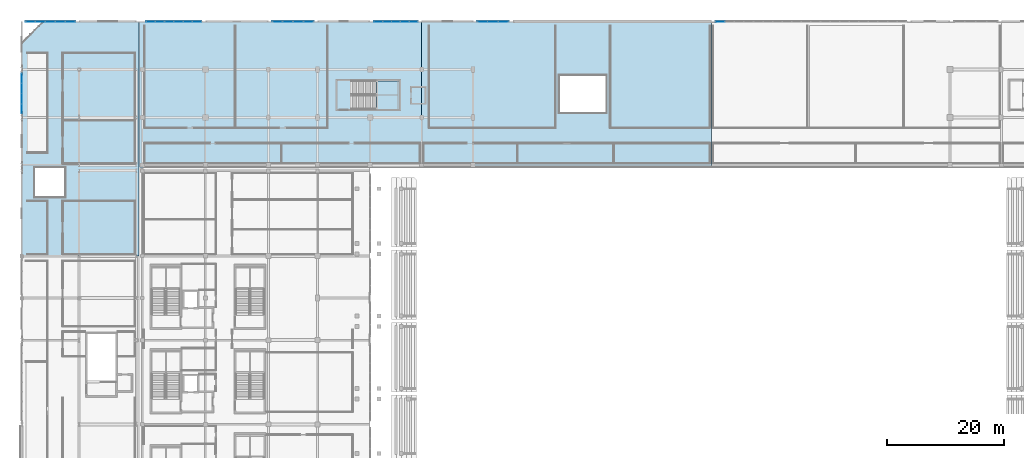
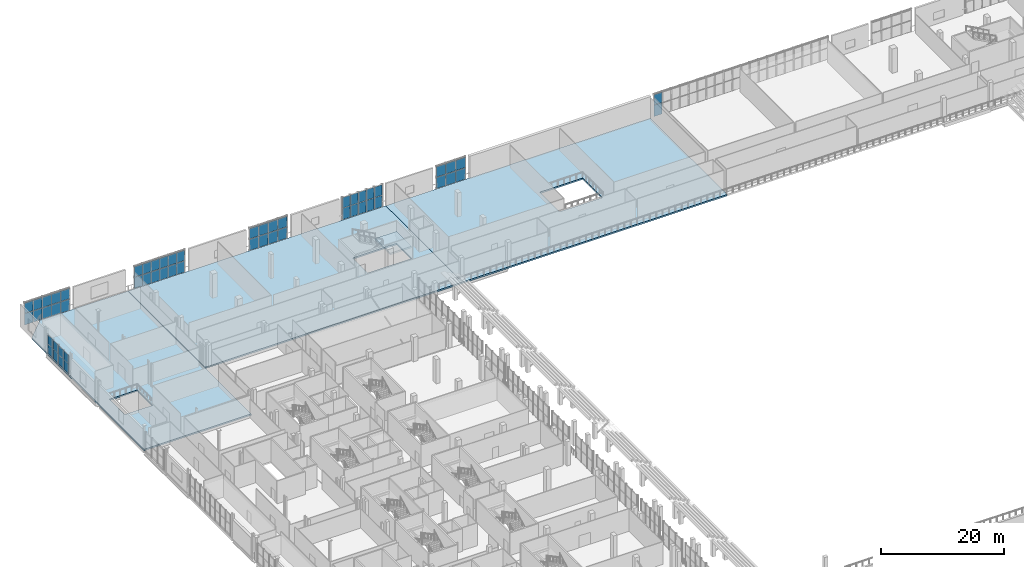
# One storey, part 83 of 142: 56 plates, 4 slabs, 8 elements without a shape of their own.
"""IFC4 building model written with IfcOpenShell, lengths in metres."""

from ifc_helpers import new_model, si_unit, direction, frame, origin, origin_2d, place, context, subcontext, project, spatial, polyline, rectangle, outline, extrude, material, layer, layer_set, type_object, element, aggregate, save


model = new_model("IFC4")

# Units and contexts
model_context = context("Model", 3, precision=1e-05, world=origin(), true_north=direction((0.0, 1.0)))
body_context = subcontext(model_context, "Body", "Model", "MODEL_VIEW")
ifc_project = project(units=[si_unit("LENGTHUNIT", "METRE"), si_unit("AREAUNIT", "SQUARE_METRE"), si_unit("VOLUMEUNIT", "CUBIC_METRE"), si_unit("PLANEANGLEUNIT", "RADIAN"), si_unit("MASSUNIT", "GRAM", prefix="KILO")], contexts=[model_context])

# Site, building, storey
site_placement = place(None, origin())
site = spatial("IfcSite", under=ifc_project, at=site_placement, CompositionType="ELEMENT")
building_placement = place(site_placement, origin())
building = spatial("IfcBuilding", under=site, at=building_placement, Name="Koshinbarg Plaza Stadium", CompositionType="ELEMENT")
storey_placement = place(building_placement, frame((0.0, 0.0, 10.199951171875)))
storey = spatial("IfcBuildingStorey", under=building, at=storey_placement, Name="L02", CompositionType="ELEMENT", Elevation=10.199951171875)

# Curtain wall, plates
ifc_material_1 = material(Name="Thermally broken anodised aluminium and low-E double glazing", Category="aluminium")
curtain_wall_type_1 = type_object("IfcCurtainWallType", Name="CW-SYS-13", PredefinedType="NOTDEFINED", material=ifc_material_1)
curtain_wall_1_placement = place(storey_placement, origin())
curtain_wall_1 = element("IfcCurtainWall", 1, at=curtain_wall_1_placement, inside=storey, type_object=curtain_wall_type_1, Name="L02 unitised curtain wall CW-L02-044", PredefinedType="NOTDEFINED")
ifc_material_2 = material(Name="Solar-control low-E double glazing unit", Category="glass")
ifc_layer_1 = layer(ifc_material_2, 0.028076171875)
ifc_layer_set_1 = layer_set([ifc_layer_1], Name="Solar-control low-E double glazing unit")
plate_type_1 = type_object("IfcPlateType", Name="CW-PNL-28", PredefinedType="CURTAIN_PANEL", material=ifc_layer_set_1)
plate_1_placement = place(storey_placement, frame((4.0, 137.10498046875, 0.06005859375), z_axis=(0.0, 0.0, 1.0), x_axis=(0.0, 1.0, 0.0)))
plate_1 = element("IfcPlate", 2, at=plate_1_placement, type_object=plate_type_1, Name="CW13 panel 1.1", PredefinedType="CURTAIN_PANEL", context=body_context, shape_type="SweptSolid", body=[
    extrude(rectangle(XDim=1.64990234375, YDim=0.028076171875, at=origin_2d()), origin(), (0.0, 0.0, 1.0), 1.87548828125),
])
plate_2_placement = place(storey_placement, frame((4.0, 137.10498046875, 1.99560546875), z_axis=(0.0, 0.0, 1.0), x_axis=(0.0, 1.0, 0.0)))
plate_2 = element("IfcPlate", 3, at=plate_2_placement, type_object=plate_type_1, Name="CW13 panel 1.2", PredefinedType="CURTAIN_PANEL", context=body_context, shape_type="SweptSolid", body=[
    extrude(rectangle(XDim=1.64990234375, YDim=0.028076171875, at=origin_2d()), origin(), (0.0, 0.0, 1.0), 1.724365234375),
])
plate_3_placement = place(storey_placement, frame((4.0, 138.830078125, 0.06005859375), z_axis=(0.0, 0.0, 1.0), x_axis=(0.0, 1.0, 0.0)))
plate_3 = element("IfcPlate", 4, at=plate_3_placement, type_object=plate_type_1, Name="CW13 panel 2.1", PredefinedType="CURTAIN_PANEL", context=body_context, shape_type="SweptSolid", body=[
    extrude(rectangle(XDim=1.679931640625, YDim=0.028076171875, at=origin_2d()), origin(), (0.0, 0.0, 1.0), 1.87548828125),
])
plate_4_placement = place(storey_placement, frame((4.0, 138.830078125, 1.99560546875), z_axis=(0.0, 0.0, 1.0), x_axis=(0.0, 1.0, 0.0)))
plate_4 = element("IfcPlate", 5, at=plate_4_placement, type_object=plate_type_1, Name="CW13 panel 2.2", PredefinedType="CURTAIN_PANEL", context=body_context, shape_type="SweptSolid", body=[
    extrude(rectangle(XDim=1.679931640625, YDim=0.028076171875, at=origin_2d()), origin(), (0.0, 0.0, 1.0), 1.724365234375),
])
plate_5_placement = place(storey_placement, frame((4.0, 140.570068359375, 0.06005859375), z_axis=(0.0, 0.0, 1.0), x_axis=(0.0, 1.0, 0.0)))
plate_5 = element("IfcPlate", 6, at=plate_5_placement, type_object=plate_type_1, Name="CW13 panel 3.1", PredefinedType="CURTAIN_PANEL", context=body_context, shape_type="SweptSolid", body=[
    extrude(rectangle(XDim=1.679931640625, YDim=0.028076171875, at=origin_2d()), origin(), (0.0, 0.0, 1.0), 1.87548828125),
])
plate_6_placement = place(storey_placement, frame((4.0, 140.570068359375, 1.99560546875), z_axis=(0.0, 0.0, 1.0), x_axis=(0.0, 1.0, 0.0)))
plate_6 = element("IfcPlate", 7, at=plate_6_placement, type_object=plate_type_1, Name="CW13 panel 3.2", PredefinedType="CURTAIN_PANEL", context=body_context, shape_type="SweptSolid", body=[
    extrude(rectangle(XDim=1.679931640625, YDim=0.028076171875, at=origin_2d()), origin(), (0.0, 0.0, 1.0), 1.724365234375),
])
plate_7_placement = place(storey_placement, frame((4.0, 142.294921875, 0.06005859375), z_axis=(0.0, 0.0, 1.0), x_axis=(0.0, 1.0, 0.0)))
plate_7 = element("IfcPlate", 8, at=plate_7_placement, type_object=plate_type_1, Name="CW13 panel 4.1", PredefinedType="CURTAIN_PANEL", context=body_context, shape_type="SweptSolid", body=[
    extrude(rectangle(XDim=1.64990234375, YDim=0.028076171875, at=origin_2d()), origin(), (0.0, 0.0, 1.0), 1.87548828125),
])
plate_8_placement = place(storey_placement, frame((4.0, 142.294921875, 1.99560546875), z_axis=(0.0, 0.0, 1.0), x_axis=(0.0, 1.0, 0.0)))
plate_8 = element("IfcPlate", 9, at=plate_8_placement, type_object=plate_type_1, Name="CW13 panel 4.2", PredefinedType="CURTAIN_PANEL", context=body_context, shape_type="SweptSolid", body=[
    extrude(rectangle(XDim=1.64990234375, YDim=0.028076171875, at=origin_2d()), origin(), (0.0, 0.0, 1.0), 1.724365234375),
])
aggregate(curtain_wall_1, [plate_1, plate_2, plate_3, plate_4, plate_5, plate_6, plate_7, plate_8])

curtain_wall_type_2 = type_object("IfcCurtainWallType", Name="CW-SYS-15", PredefinedType="NOTDEFINED", material=ifc_material_1)
curtain_wall_2_placement = place(storey_placement, origin())
curtain_wall_2 = element("IfcCurtainWall", 10, at=curtain_wall_2_placement, inside=storey, type_object=curtain_wall_type_2, Name="L02 unitised curtain wall CW-L02-046", PredefinedType="NOTDEFINED")
plate_9_placement = place(storey_placement, frame((26.03173828125, 152.0, 0.06005859375), z_axis=(0.0, 0.0, 1.0), x_axis=(1.0, 0.0, 0.0)))
plate_9 = element("IfcPlate", 11, at=plate_9_placement, type_object=plate_type_1, Name="CW15 panel 1.1", PredefinedType="CURTAIN_PANEL", context=body_context, shape_type="SweptSolid", body=[
    extrude(rectangle(XDim=1.50341796875, YDim=0.028076171875, at=origin_2d()), origin(), (0.0, 0.0, 1.0), 2.239501953125),
])
plate_10_placement = place(storey_placement, frame((26.03173828125, 152.0, 2.35986328125), z_axis=(0.0, 0.0, 1.0), x_axis=(1.0, 0.0, 0.0)))
plate_10 = element("IfcPlate", 12, at=plate_10_placement, type_object=plate_type_1, Name="CW15 panel 1.2", PredefinedType="CURTAIN_PANEL", context=body_context, shape_type="SweptSolid", body=[
    extrude(rectangle(XDim=1.50341796875, YDim=0.028076171875, at=origin_2d()), origin(), (0.0, 0.0, 1.0), 2.060302734375),
])
plate_11_placement = place(storey_placement, frame((27.610107421875, 152.0, 0.06005859375), z_axis=(0.0, 0.0, 1.0), x_axis=(1.0, 0.0, 0.0)))
plate_11 = element("IfcPlate", 13, at=plate_11_placement, type_object=plate_type_1, Name="CW15 panel 2.1", PredefinedType="CURTAIN_PANEL", context=body_context, shape_type="SweptSolid", body=[
    extrude(rectangle(XDim=1.533447265625, YDim=0.028076171875, at=origin_2d()), origin(), (0.0, 0.0, 1.0), 2.239501953125),
])
plate_12_placement = place(storey_placement, frame((27.610107421875, 152.0, 2.35986328125), z_axis=(0.0, 0.0, 1.0), x_axis=(1.0, 0.0, 0.0)))
plate_12 = element("IfcPlate", 14, at=plate_12_placement, type_object=plate_type_1, Name="CW15 panel 2.2", PredefinedType="CURTAIN_PANEL", context=body_context, shape_type="SweptSolid", body=[
    extrude(rectangle(XDim=1.533447265625, YDim=0.028076171875, at=origin_2d()), origin(), (0.0, 0.0, 1.0), 2.060302734375),
])
plate_13_placement = place(storey_placement, frame((29.203369140625, 152.0, 0.06005859375), z_axis=(0.0, 0.0, 1.0), x_axis=(1.0, 0.0, 0.0)))
plate_13 = element("IfcPlate", 15, at=plate_13_placement, type_object=plate_type_1, Name="CW15 panel 3.1", PredefinedType="CURTAIN_PANEL", context=body_context, shape_type="SweptSolid", body=[
    extrude(rectangle(XDim=1.533447265625, YDim=0.028076171875, at=origin_2d()), origin(), (0.0, 0.0, 1.0), 2.239501953125),
])
plate_14_placement = place(storey_placement, frame((29.203369140625, 152.0, 2.35986328125), z_axis=(0.0, 0.0, 1.0), x_axis=(1.0, 0.0, 0.0)))
plate_14 = element("IfcPlate", 16, at=plate_14_placement, type_object=plate_type_1, Name="CW15 panel 3.2", PredefinedType="CURTAIN_PANEL", context=body_context, shape_type="SweptSolid", body=[
    extrude(rectangle(XDim=1.533447265625, YDim=0.028076171875, at=origin_2d()), origin(), (0.0, 0.0, 1.0), 2.060302734375),
])
plate_15_placement = place(storey_placement, frame((30.796630859375, 152.0, 0.06005859375), z_axis=(0.0, 0.0, 1.0), x_axis=(1.0, 0.0, 0.0)))
plate_15 = element("IfcPlate", 17, at=plate_15_placement, type_object=plate_type_1, Name="CW15 panel 4.1", PredefinedType="CURTAIN_PANEL", context=body_context, shape_type="SweptSolid", body=[
    extrude(rectangle(XDim=1.533447265625, YDim=0.028076171875, at=origin_2d()), origin(), (0.0, 0.0, 1.0), 2.239501953125),
])
plate_16_placement = place(storey_placement, frame((30.796630859375, 152.0, 2.35986328125), z_axis=(0.0, 0.0, 1.0), x_axis=(1.0, 0.0, 0.0)))
plate_16 = element("IfcPlate", 18, at=plate_16_placement, type_object=plate_type_1, Name="CW15 panel 4.2", PredefinedType="CURTAIN_PANEL", context=body_context, shape_type="SweptSolid", body=[
    extrude(rectangle(XDim=1.533447265625, YDim=0.028076171875, at=origin_2d()), origin(), (0.0, 0.0, 1.0), 2.060302734375),
])
plate_17_placement = place(storey_placement, frame((32.389892578125, 152.0, 0.06005859375), z_axis=(0.0, 0.0, 1.0), x_axis=(1.0, 0.0, 0.0)))
plate_17 = element("IfcPlate", 19, at=plate_17_placement, type_object=plate_type_1, Name="CW15 panel 5.1", PredefinedType="CURTAIN_PANEL", context=body_context, shape_type="SweptSolid", body=[
    extrude(rectangle(XDim=1.533447265625, YDim=0.028076171875, at=origin_2d()), origin(), (0.0, 0.0, 1.0), 2.239501953125),
])
plate_18_placement = place(storey_placement, frame((32.389892578125, 152.0, 2.35986328125), z_axis=(0.0, 0.0, 1.0), x_axis=(1.0, 0.0, 0.0)))
plate_18 = element("IfcPlate", 20, at=plate_18_placement, type_object=plate_type_1, Name="CW15 panel 5.2", PredefinedType="CURTAIN_PANEL", context=body_context, shape_type="SweptSolid", body=[
    extrude(rectangle(XDim=1.533447265625, YDim=0.028076171875, at=origin_2d()), origin(), (0.0, 0.0, 1.0), 2.060302734375),
])
plate_19_placement = place(storey_placement, frame((33.96826171875, 152.0, 0.06005859375), z_axis=(0.0, 0.0, 1.0), x_axis=(1.0, 0.0, 0.0)))
plate_19 = element("IfcPlate", 21, at=plate_19_placement, type_object=plate_type_1, Name="CW15 panel 6.1", PredefinedType="CURTAIN_PANEL", context=body_context, shape_type="SweptSolid", body=[
    extrude(rectangle(XDim=1.50341796875, YDim=0.028076171875, at=origin_2d()), origin(), (0.0, 0.0, 1.0), 2.239501953125),
])
plate_20_placement = place(storey_placement, frame((33.96826171875, 152.0, 2.35986328125), z_axis=(0.0, 0.0, 1.0), x_axis=(1.0, 0.0, 0.0)))
plate_20 = element("IfcPlate", 22, at=plate_20_placement, type_object=plate_type_1, Name="CW15 panel 6.2", PredefinedType="CURTAIN_PANEL", context=body_context, shape_type="SweptSolid", body=[
    extrude(rectangle(XDim=1.50341796875, YDim=0.028076171875, at=origin_2d()), origin(), (0.0, 0.0, 1.0), 2.060302734375),
])
aggregate(curtain_wall_2, [plate_9, plate_10, plate_11, plate_12, plate_13, plate_14, plate_15, plate_16, plate_17, plate_18, plate_19, plate_20])

curtain_wall_type_3 = type_object("IfcCurtainWallType", Name="CW-SYS-01", PredefinedType="NOTDEFINED", material=ifc_material_1)
curtain_wall_3_placement = place(storey_placement, origin())
curtain_wall_3 = element("IfcCurtainWall", 23, at=curtain_wall_3_placement, inside=storey, type_object=curtain_wall_type_3, Name="L02 unitised curtain wall CW-L02-048", PredefinedType="NOTDEFINED")
plate_21_placement = place(storey_placement, frame((64.990966796875, 152.0, 0.06005859375), z_axis=(0.0, 0.0, 1.0), x_axis=(1.0, 0.0, 0.0)))
plate_21 = element("IfcPlate", 24, at=plate_21_placement, type_object=plate_type_1, Name="CW01 panel 1.1", PredefinedType="CURTAIN_PANEL", context=body_context, shape_type="SweptSolid", body=[
    extrude(rectangle(XDim=1.422119140625, YDim=0.028076171875, at=origin_2d()), origin(), (0.0, 0.0, 1.0), 2.239501953125),
])
plate_22_placement = place(storey_placement, frame((64.990966796875, 152.0, 2.35986328125), z_axis=(0.0, 0.0, 1.0), x_axis=(1.0, 0.0, 0.0)))
plate_22 = element("IfcPlate", 25, at=plate_22_placement, type_object=plate_type_1, Name="CW01 panel 1.2", PredefinedType="CURTAIN_PANEL", context=body_context, shape_type="SweptSolid", body=[
    extrude(rectangle(XDim=1.422119140625, YDim=0.028076171875, at=origin_2d()), origin(), (0.0, 0.0, 1.0), 2.060302734375),
])
plate_23_placement = place(storey_placement, frame((66.488037109375, 152.0, 0.06005859375), z_axis=(0.0, 0.0, 1.0), x_axis=(1.0, 0.0, 0.0)))
plate_23 = element("IfcPlate", 26, at=plate_23_placement, type_object=plate_type_1, Name="CW01 panel 2.1", PredefinedType="CURTAIN_PANEL", context=body_context, shape_type="SweptSolid", body=[
    extrude(rectangle(XDim=1.451904296875, YDim=0.028076171875, at=origin_2d()), origin(), (0.0, 0.0, 1.0), 2.239501953125),
])
plate_24_placement = place(storey_placement, frame((66.488037109375, 152.0, 2.35986328125), z_axis=(0.0, 0.0, 1.0), x_axis=(1.0, 0.0, 0.0)))
plate_24 = element("IfcPlate", 27, at=plate_24_placement, type_object=plate_type_1, Name="CW01 panel 2.2", PredefinedType="CURTAIN_PANEL", context=body_context, shape_type="SweptSolid", body=[
    extrude(rectangle(XDim=1.451904296875, YDim=0.028076171875, at=origin_2d()), origin(), (0.0, 0.0, 1.0), 2.060302734375),
])
plate_25_placement = place(storey_placement, frame((68.0, 152.0, 0.06005859375), z_axis=(0.0, 0.0, 1.0), x_axis=(1.0, 0.0, 0.0)))
plate_25 = element("IfcPlate", 28, at=plate_25_placement, type_object=plate_type_1, Name="CW01 panel 3.1", PredefinedType="CURTAIN_PANEL", context=body_context, shape_type="SweptSolid", body=[
    extrude(rectangle(XDim=1.451904296875, YDim=0.028076171875, at=origin_2d()), origin(), (0.0, 0.0, 1.0), 2.239501953125),
])
plate_26_placement = place(storey_placement, frame((68.0, 152.0, 2.35986328125), z_axis=(0.0, 0.0, 1.0), x_axis=(1.0, 0.0, 0.0)))
plate_26 = element("IfcPlate", 29, at=plate_26_placement, type_object=plate_type_1, Name="CW01 panel 3.2", PredefinedType="CURTAIN_PANEL", context=body_context, shape_type="SweptSolid", body=[
    extrude(rectangle(XDim=1.451904296875, YDim=0.028076171875, at=origin_2d()), origin(), (0.0, 0.0, 1.0), 2.060302734375),
])
plate_27_placement = place(storey_placement, frame((69.511962890625, 152.0, 0.06005859375), z_axis=(0.0, 0.0, 1.0), x_axis=(1.0, 0.0, 0.0)))
plate_27 = element("IfcPlate", 30, at=plate_27_placement, type_object=plate_type_1, Name="CW01 panel 4.1", PredefinedType="CURTAIN_PANEL", context=body_context, shape_type="SweptSolid", body=[
    extrude(rectangle(XDim=1.451904296875, YDim=0.028076171875, at=origin_2d()), origin(), (0.0, 0.0, 1.0), 2.239501953125),
])
plate_28_placement = place(storey_placement, frame((69.511962890625, 152.0, 2.35986328125), z_axis=(0.0, 0.0, 1.0), x_axis=(1.0, 0.0, 0.0)))
plate_28 = element("IfcPlate", 31, at=plate_28_placement, type_object=plate_type_1, Name="CW01 panel 4.2", PredefinedType="CURTAIN_PANEL", context=body_context, shape_type="SweptSolid", body=[
    extrude(rectangle(XDim=1.451904296875, YDim=0.028076171875, at=origin_2d()), origin(), (0.0, 0.0, 1.0), 2.060302734375),
])
plate_29_placement = place(storey_placement, frame((71.009033203125, 152.0, 0.06005859375), z_axis=(0.0, 0.0, 1.0), x_axis=(1.0, 0.0, 0.0)))
plate_29 = element("IfcPlate", 32, at=plate_29_placement, type_object=plate_type_1, Name="CW01 panel 5.1", PredefinedType="CURTAIN_PANEL", context=body_context, shape_type="SweptSolid", body=[
    extrude(rectangle(XDim=1.422119140625, YDim=0.028076171875, at=origin_2d()), origin(), (0.0, 0.0, 1.0), 2.239501953125),
])
plate_30_placement = place(storey_placement, frame((71.009033203125, 152.0, 2.35986328125), z_axis=(0.0, 0.0, 1.0), x_axis=(1.0, 0.0, 0.0)))
plate_30 = element("IfcPlate", 33, at=plate_30_placement, type_object=plate_type_1, Name="CW01 panel 5.2", PredefinedType="CURTAIN_PANEL", context=body_context, shape_type="SweptSolid", body=[
    extrude(rectangle(XDim=1.422119140625, YDim=0.028076171875, at=origin_2d()), origin(), (0.0, 0.0, 1.0), 2.060302734375),
])
aggregate(curtain_wall_3, [plate_21, plate_22, plate_23, plate_24, plate_25, plate_26, plate_27, plate_28, plate_29, plate_30])

curtain_wall_type_4 = type_object("IfcCurtainWallType", Name="CW-SYS-03", PredefinedType="NOTDEFINED", material=ifc_material_1)
curtain_wall_4_placement = place(storey_placement, origin())
curtain_wall_4 = element("IfcCurtainWall", 34, at=curtain_wall_4_placement, inside=storey, type_object=curtain_wall_type_4, Name="L02 unitised curtain wall CW-L02-050", PredefinedType="NOTDEFINED")
plate_31_placement = place(storey_placement, frame((123.4541015625, 152.0, 0.06005859375), z_axis=(0.0, 0.0, 1.0), x_axis=(1.0, 0.0, 0.0)))
plate_31 = element("IfcPlate", 35, at=plate_31_placement, type_object=plate_type_1, Name="CW03 panel 1.1", PredefinedType="CURTAIN_PANEL", context=body_context, shape_type="SweptSolid", body=[
    extrude(rectangle(XDim=1.548095703125, YDim=0.028076171875, at=origin_2d()), origin(), (0.0, 0.0, 1.0), 2.239501953125),
])
plate_32_placement = place(storey_placement, frame((123.4541015625, 152.0, 2.35986328125), z_axis=(0.0, 0.0, 1.0), x_axis=(1.0, 0.0, 0.0)))
plate_32 = element("IfcPlate", 36, at=plate_32_placement, type_object=plate_type_1, Name="CW03 panel 1.2", PredefinedType="CURTAIN_PANEL", context=body_context, shape_type="SweptSolid", body=[
    extrude(rectangle(XDim=1.548095703125, YDim=0.028076171875, at=origin_2d()), origin(), (0.0, 0.0, 1.0), 2.060302734375),
])
aggregate(curtain_wall_4, [plate_31, plate_32])

curtain_wall_type_5 = type_object("IfcCurtainWallType", Name="CW-SYS-14", PredefinedType="NOTDEFINED", material=ifc_material_1)
curtain_wall_5_placement = place(storey_placement, origin())
curtain_wall_5 = element("IfcCurtainWall", 37, at=curtain_wall_5_placement, inside=storey, type_object=curtain_wall_type_5, Name="L02 unitised curtain wall CW-L02-045", PredefinedType="NOTDEFINED")
ifc_material_3 = material(Name="Acoustic solar-control double glazing unit", Category="glass")
ifc_layer_2 = layer(ifc_material_3, 0.031982421875)
ifc_layer_set_2 = layer_set([ifc_layer_2], Name="Acoustic solar-control double glazing unit")
plate_type_2 = type_object("IfcPlateType", Name="CW-PNL-32", PredefinedType="CURTAIN_PANEL", material=ifc_layer_set_2)
plate_33_placement = place(storey_placement, frame((5.490966796875, 152.0, 0.06005859375), z_axis=(0.0, 0.0, 1.0), x_axis=(1.0, 0.0, 0.0)))
plate_33 = element("IfcPlate", 38, at=plate_33_placement, type_object=plate_type_2, Name="CW14 panel 1.1", PredefinedType="CURTAIN_PANEL", context=body_context, shape_type="SweptSolid", body=[
    extrude(rectangle(XDim=1.6220703125, YDim=0.031982421875, at=origin_2d()), origin(), (0.0, 0.0, 1.0), 2.239501953125),
])
plate_34_placement = place(storey_placement, frame((5.490966796875, 152.0, 2.35986328125), z_axis=(0.0, 0.0, 1.0), x_axis=(1.0, 0.0, 0.0)))
plate_34 = element("IfcPlate", 39, at=plate_34_placement, type_object=plate_type_2, Name="CW14 panel 1.2", PredefinedType="CURTAIN_PANEL", context=body_context, shape_type="SweptSolid", body=[
    extrude(rectangle(XDim=1.6220703125, YDim=0.031982421875, at=origin_2d()), origin(), (0.0, 0.0, 1.0), 2.060302734375),
])
plate_35_placement = place(storey_placement, frame((7.18798828125, 152.0, 0.06005859375), z_axis=(0.0, 0.0, 1.0), x_axis=(1.0, 0.0, 0.0)))
plate_35 = element("IfcPlate", 40, at=plate_35_placement, type_object=plate_type_2, Name="CW14 panel 2.1", PredefinedType="CURTAIN_PANEL", context=body_context, shape_type="SweptSolid", body=[
    extrude(rectangle(XDim=1.652099609375, YDim=0.031982421875, at=origin_2d()), origin(), (0.0, 0.0, 1.0), 2.239501953125),
])
plate_36_placement = place(storey_placement, frame((7.18798828125, 152.0, 2.35986328125), z_axis=(0.0, 0.0, 1.0), x_axis=(1.0, 0.0, 0.0)))
plate_36 = element("IfcPlate", 41, at=plate_36_placement, type_object=plate_type_2, Name="CW14 panel 2.2", PredefinedType="CURTAIN_PANEL", context=body_context, shape_type="SweptSolid", body=[
    extrude(rectangle(XDim=1.652099609375, YDim=0.031982421875, at=origin_2d()), origin(), (0.0, 0.0, 1.0), 2.060302734375),
])
plate_37_placement = place(storey_placement, frame((8.89990234375, 152.0, 0.06005859375), z_axis=(0.0, 0.0, 1.0), x_axis=(1.0, 0.0, 0.0)))
plate_37 = element("IfcPlate", 42, at=plate_37_placement, type_object=plate_type_2, Name="CW14 panel 3.1", PredefinedType="CURTAIN_PANEL", context=body_context, shape_type="SweptSolid", body=[
    extrude(rectangle(XDim=1.652099609375, YDim=0.031982421875, at=origin_2d()), origin(), (0.0, 0.0, 1.0), 2.239501953125),
])
plate_38_placement = place(storey_placement, frame((8.89990234375, 152.0, 2.35986328125), z_axis=(0.0, 0.0, 1.0), x_axis=(1.0, 0.0, 0.0)))
plate_38 = element("IfcPlate", 43, at=plate_38_placement, type_object=plate_type_2, Name="CW14 panel 3.2", PredefinedType="CURTAIN_PANEL", context=body_context, shape_type="SweptSolid", body=[
    extrude(rectangle(XDim=1.652099609375, YDim=0.031982421875, at=origin_2d()), origin(), (0.0, 0.0, 1.0), 2.060302734375),
])
plate_39_placement = place(storey_placement, frame((10.612060546875, 152.0, 0.06005859375), z_axis=(0.0, 0.0, 1.0), x_axis=(1.0, 0.0, 0.0)))
plate_39 = element("IfcPlate", 44, at=plate_39_placement, type_object=plate_type_2, Name="CW14 panel 4.1", PredefinedType="CURTAIN_PANEL", context=body_context, shape_type="SweptSolid", body=[
    extrude(rectangle(XDim=1.652099609375, YDim=0.031982421875, at=origin_2d()), origin(), (0.0, 0.0, 1.0), 2.239501953125),
])
plate_40_placement = place(storey_placement, frame((10.612060546875, 152.0, 2.35986328125), z_axis=(0.0, 0.0, 1.0), x_axis=(1.0, 0.0, 0.0)))
plate_40 = element("IfcPlate", 45, at=plate_40_placement, type_object=plate_type_2, Name="CW14 panel 4.2", PredefinedType="CURTAIN_PANEL", context=body_context, shape_type="SweptSolid", body=[
    extrude(rectangle(XDim=1.652099609375, YDim=0.031982421875, at=origin_2d()), origin(), (0.0, 0.0, 1.0), 2.060302734375),
])
plate_41_placement = place(storey_placement, frame((12.30908203125, 152.0, 0.06005859375), z_axis=(0.0, 0.0, 1.0), x_axis=(1.0, 0.0, 0.0)))
plate_41 = element("IfcPlate", 46, at=plate_41_placement, type_object=plate_type_2, Name="CW14 panel 5.1", PredefinedType="CURTAIN_PANEL", context=body_context, shape_type="SweptSolid", body=[
    extrude(rectangle(XDim=1.6220703125, YDim=0.031982421875, at=origin_2d()), origin(), (0.0, 0.0, 1.0), 2.239501953125),
])
plate_42_placement = place(storey_placement, frame((12.30908203125, 152.0, 2.35986328125), z_axis=(0.0, 0.0, 1.0), x_axis=(1.0, 0.0, 0.0)))
plate_42 = element("IfcPlate", 47, at=plate_42_placement, type_object=plate_type_2, Name="CW14 panel 5.2", PredefinedType="CURTAIN_PANEL", context=body_context, shape_type="SweptSolid", body=[
    extrude(rectangle(XDim=1.6220703125, YDim=0.031982421875, at=origin_2d()), origin(), (0.0, 0.0, 1.0), 2.060302734375),
])
aggregate(curtain_wall_5, [plate_33, plate_34, plate_35, plate_36, plate_37, plate_38, plate_39, plate_40, plate_41, plate_42])

curtain_wall_type_6 = type_object("IfcCurtainWallType", Name="CW-SYS-16", PredefinedType="NOTDEFINED", material=ifc_material_1)
curtain_wall_6_placement = place(storey_placement, origin())
curtain_wall_6 = element("IfcCurtainWall", 48, at=curtain_wall_6_placement, inside=storey, type_object=curtain_wall_type_6, Name="L02 unitised curtain wall CW-L02-047", PredefinedType="NOTDEFINED")
plate_43_placement = place(storey_placement, frame((47.72998046875, 152.0, 0.06005859375), z_axis=(0.0, 0.0, 1.0), x_axis=(1.0, 0.0, 0.0)))
plate_43 = element("IfcPlate", 49, at=plate_43_placement, type_object=plate_type_2, Name="CW16 panel 1.1", PredefinedType="CURTAIN_PANEL", context=body_context, shape_type="SweptSolid", body=[
    extrude(rectangle(XDim=1.699951171875, YDim=0.031982421875, at=origin_2d()), origin(), (0.0, 0.0, 1.0), 2.239501953125),
])
plate_44_placement = place(storey_placement, frame((47.72998046875, 152.0, 2.35986328125), z_axis=(0.0, 0.0, 1.0), x_axis=(1.0, 0.0, 0.0)))
plate_44 = element("IfcPlate", 50, at=plate_44_placement, type_object=plate_type_2, Name="CW16 panel 1.2", PredefinedType="CURTAIN_PANEL", context=body_context, shape_type="SweptSolid", body=[
    extrude(rectangle(XDim=1.699951171875, YDim=0.031982421875, at=origin_2d()), origin(), (0.0, 0.0, 1.0), 2.060302734375),
])
plate_45_placement = place(storey_placement, frame((49.5048828125, 152.0, 0.06005859375), z_axis=(0.0, 0.0, 1.0), x_axis=(1.0, 0.0, 0.0)))
plate_45 = element("IfcPlate", 51, at=plate_45_placement, type_object=plate_type_2, Name="CW16 panel 2.1", PredefinedType="CURTAIN_PANEL", context=body_context, shape_type="SweptSolid", body=[
    extrude(rectangle(XDim=1.72998046875, YDim=0.031982421875, at=origin_2d()), origin(), (0.0, 0.0, 1.0), 2.239501953125),
])
plate_46_placement = place(storey_placement, frame((49.5048828125, 152.0, 2.35986328125), z_axis=(0.0, 0.0, 1.0), x_axis=(1.0, 0.0, 0.0)))
plate_46 = element("IfcPlate", 52, at=plate_46_placement, type_object=plate_type_2, Name="CW16 panel 2.2", PredefinedType="CURTAIN_PANEL", context=body_context, shape_type="SweptSolid", body=[
    extrude(rectangle(XDim=1.72998046875, YDim=0.031982421875, at=origin_2d()), origin(), (0.0, 0.0, 1.0), 2.060302734375),
])
plate_47_placement = place(storey_placement, frame((51.294921875, 152.0, 0.06005859375), z_axis=(0.0, 0.0, 1.0), x_axis=(1.0, 0.0, 0.0)))
plate_47 = element("IfcPlate", 53, at=plate_47_placement, type_object=plate_type_2, Name="CW16 panel 3.1", PredefinedType="CURTAIN_PANEL", context=body_context, shape_type="SweptSolid", body=[
    extrude(rectangle(XDim=1.72998046875, YDim=0.031982421875, at=origin_2d()), origin(), (0.0, 0.0, 1.0), 2.239501953125),
])
plate_48_placement = place(storey_placement, frame((51.294921875, 152.0, 2.35986328125), z_axis=(0.0, 0.0, 1.0), x_axis=(1.0, 0.0, 0.0)))
plate_48 = element("IfcPlate", 54, at=plate_48_placement, type_object=plate_type_2, Name="CW16 panel 3.2", PredefinedType="CURTAIN_PANEL", context=body_context, shape_type="SweptSolid", body=[
    extrude(rectangle(XDim=1.72998046875, YDim=0.031982421875, at=origin_2d()), origin(), (0.0, 0.0, 1.0), 2.060302734375),
])
plate_49_placement = place(storey_placement, frame((53.070068359375, 152.0, 0.06005859375), z_axis=(0.0, 0.0, 1.0), x_axis=(1.0, 0.0, 0.0)))
plate_49 = element("IfcPlate", 55, at=plate_49_placement, type_object=plate_type_2, Name="CW16 panel 4.1", PredefinedType="CURTAIN_PANEL", context=body_context, shape_type="SweptSolid", body=[
    extrude(rectangle(XDim=1.699951171875, YDim=0.031982421875, at=origin_2d()), origin(), (0.0, 0.0, 1.0), 2.239501953125),
])
plate_50_placement = place(storey_placement, frame((53.070068359375, 152.0, 2.35986328125), z_axis=(0.0, 0.0, 1.0), x_axis=(1.0, 0.0, 0.0)))
plate_50 = element("IfcPlate", 56, at=plate_50_placement, type_object=plate_type_2, Name="CW16 panel 4.2", PredefinedType="CURTAIN_PANEL", context=body_context, shape_type="SweptSolid", body=[
    extrude(rectangle(XDim=1.699951171875, YDim=0.031982421875, at=origin_2d()), origin(), (0.0, 0.0, 1.0), 2.060302734375),
])
aggregate(curtain_wall_6, [plate_43, plate_44, plate_45, plate_46, plate_47, plate_48, plate_49, plate_50])

curtain_wall_type_7 = type_object("IfcCurtainWallType", Name="CW-SYS-02", PredefinedType="NOTDEFINED", material=ifc_material_1)
curtain_wall_7_placement = place(storey_placement, origin())
curtain_wall_7 = element("IfcCurtainWall", 57, at=curtain_wall_7_placement, inside=storey, type_object=curtain_wall_type_7, Name="L02 unitised curtain wall CW-L02-049", PredefinedType="NOTDEFINED")
plate_51_placement = place(storey_placement, frame((82.76171875, 152.0, 0.06005859375), z_axis=(0.0, 0.0, 1.0), x_axis=(1.0, 0.0, 0.0)))
plate_51 = element("IfcPlate", 58, at=plate_51_placement, type_object=plate_type_2, Name="CW02 panel 1.1", PredefinedType="CURTAIN_PANEL", context=body_context, shape_type="SweptSolid", body=[
    extrude(rectangle(XDim=1.763427734375, YDim=0.031982421875, at=origin_2d()), origin(), (0.0, 0.0, 1.0), 2.239501953125),
])
plate_52_placement = place(storey_placement, frame((82.76171875, 152.0, 2.35986328125), z_axis=(0.0, 0.0, 1.0), x_axis=(1.0, 0.0, 0.0)))
plate_52 = element("IfcPlate", 59, at=plate_52_placement, type_object=plate_type_2, Name="CW02 panel 1.2", PredefinedType="CURTAIN_PANEL", context=body_context, shape_type="SweptSolid", body=[
    extrude(rectangle(XDim=1.763427734375, YDim=0.031982421875, at=origin_2d()), origin(), (0.0, 0.0, 1.0), 2.060302734375),
])
plate_53_placement = place(storey_placement, frame((84.60009765625, 152.0, 0.06005859375), z_axis=(0.0, 0.0, 1.0), x_axis=(1.0, 0.0, 0.0)))
plate_53 = element("IfcPlate", 60, at=plate_53_placement, type_object=plate_type_2, Name="CW02 panel 2.1", PredefinedType="CURTAIN_PANEL", context=body_context, shape_type="SweptSolid", body=[
    extrude(rectangle(XDim=1.793212890625, YDim=0.031982421875, at=origin_2d()), origin(), (0.0, 0.0, 1.0), 2.239501953125),
])
plate_54_placement = place(storey_placement, frame((84.60009765625, 152.0, 2.35986328125), z_axis=(0.0, 0.0, 1.0), x_axis=(1.0, 0.0, 0.0)))
plate_54 = element("IfcPlate", 61, at=plate_54_placement, type_object=plate_type_2, Name="CW02 panel 2.2", PredefinedType="CURTAIN_PANEL", context=body_context, shape_type="SweptSolid", body=[
    extrude(rectangle(XDim=1.793212890625, YDim=0.031982421875, at=origin_2d()), origin(), (0.0, 0.0, 1.0), 2.060302734375),
])
plate_55_placement = place(storey_placement, frame((86.438232421875, 152.0, 0.06005859375), z_axis=(0.0, 0.0, 1.0), x_axis=(1.0, 0.0, 0.0)))
plate_55 = element("IfcPlate", 62, at=plate_55_placement, type_object=plate_type_2, Name="CW02 panel 3.1", PredefinedType="CURTAIN_PANEL", context=body_context, shape_type="SweptSolid", body=[
    extrude(rectangle(XDim=1.763427734375, YDim=0.031982421875, at=origin_2d()), origin(), (0.0, 0.0, 1.0), 2.239501953125),
])
plate_56_placement = place(storey_placement, frame((86.438232421875, 152.0, 2.35986328125), z_axis=(0.0, 0.0, 1.0), x_axis=(1.0, 0.0, 0.0)))
plate_56 = element("IfcPlate", 63, at=plate_56_placement, type_object=plate_type_2, Name="CW02 panel 3.2", PredefinedType="CURTAIN_PANEL", context=body_context, shape_type="SweptSolid", body=[
    extrude(rectangle(XDim=1.763427734375, YDim=0.031982421875, at=origin_2d()), origin(), (0.0, 0.0, 1.0), 2.060302734375),
])
aggregate(curtain_wall_7, [plate_51, plate_52, plate_53, plate_54, plate_55, plate_56])

# Slabs
ifc_material_4 = material(Name="Concrete C35/45", Category="concrete")
ifc_layer_3 = layer(ifc_material_4, 0.300048828125)
ifc_layer_set_3 = layer_set([ifc_layer_3], Name="Concrete C35/45")
slab_type_1 = type_object("IfcSlabType", Name="SL-FLR-300", PredefinedType="FLOOR", material=ifc_layer_set_3)
slab_1_placement = place(storey_placement, frame((0.0, 0.0, -0.300048828125)))
element("IfcSlab", 64, at=slab_1_placement, inside=storey, type_object=slab_type_1, Name="L02 V3 structural slab 9", PredefinedType="FLOOR", context=body_context, shape_type="SweptSolid", body=[
    extrude(outline(polyline([(24.14501953125, 127.044921875), (72.39990234375, 127.044921875), (72.39990234375, 152.0), (24.14501953125, 152.0), (24.14501953125, 127.044921875)]), holes=[polyline([(60.360107421875, 137.0), (68.60009765625, 137.0), (68.60009765625, 141.8701171875), (60.360107421875, 141.8701171875), (60.360107421875, 137.0)])]), origin(), (0.0, 0.0, 1.0), 0.300048828125),
])
slab_2_placement = place(storey_placement, frame((0.0, 0.0, -0.300048828125)))
element("IfcSlab", 65, at=slab_2_placement, inside=storey, type_object=slab_type_1, Name="L02 V3 structural slab 10", PredefinedType="FLOOR", context=body_context, shape_type="SweptSolid", body=[
    extrude(outline(polyline([(72.39990234375, 127.044921875), (122.0, 127.044921875), (122.0, 152.0), (72.39990234375, 152.0), (72.39990234375, 127.044921875)]), holes=[polyline([(96.0, 136.39990234375), (104.0, 136.39990234375), (104.0, 142.800048828125), (96.0, 142.800048828125), (96.0, 136.39990234375)])]), origin(), (0.0, 0.0, 1.0), 0.300048828125),
])
slab_3_placement = place(storey_placement, frame((0.0, 0.0, -0.300048828125)))
element("IfcSlab", 66, at=slab_3_placement, inside=storey, type_object=slab_type_1, Name="L02 V5 structural slab 20", PredefinedType="FLOOR", context=body_context, shape_type="SweptSolid", body=[
    extrude(outline(polyline([(4.0, 111.89990234375), (24.054931640625, 111.89990234375), (24.054931640625, 152.0), (7.60009765625, 152.0), (4.0, 148.39990234375), (4.0, 111.89990234375)]), holes=[polyline([(6.199951171875, 122.0), (11.39990234375, 122.0), (11.39990234375, 127.0), (6.199951171875, 127.0), (6.199951171875, 122.0)])]), origin(), (0.0, 0.0, 1.0), 0.300048828125),
])

# Stair, slab
stair_type = type_object("IfcStairType", Name="ST-CORE-48", PredefinedType="HALF_TURN_STAIR", material=ifc_material_4)
stair_placement = place(storey_placement, origin())
stair = element("IfcStair", 67, at=stair_placement, inside=storey, type_object=stair_type, Name="L02 Protected Exit Stair C11", PredefinedType="HALF_TURN_STAIR")
ifc_layer_4 = layer(ifc_material_4, 0.320068359375)
ifc_layer_set_4 = layer_set([ifc_layer_4], Name="Concrete C35/45")
slab_type_2 = type_object("IfcSlabType", Name="SL-STLAND-280", PredefinedType="LANDING", material=ifc_layer_set_4)
slab_4_placement = place(storey_placement, frame((0.0, 0.0, 2.080078125)))
slab_4 = element("IfcSlab", 68, at=slab_4_placement, type_object=slab_type_2, Name="L02 Protected Exit Stair C11 landing 059", PredefinedType="LANDING", context=body_context, shape_type="SweptSolid", body=[
    extrude(outline(polyline([(64.56005859375, 137.0), (68.60009765625, 137.0), (68.60009765625, 141.8701171875), (64.56005859375, 141.8701171875), (64.56005859375, 137.0)])), origin(), (0.0, 0.0, 1.0), 0.320068359375),
])
aggregate(stair, [slab_4])

save(model, "model.ifc")
